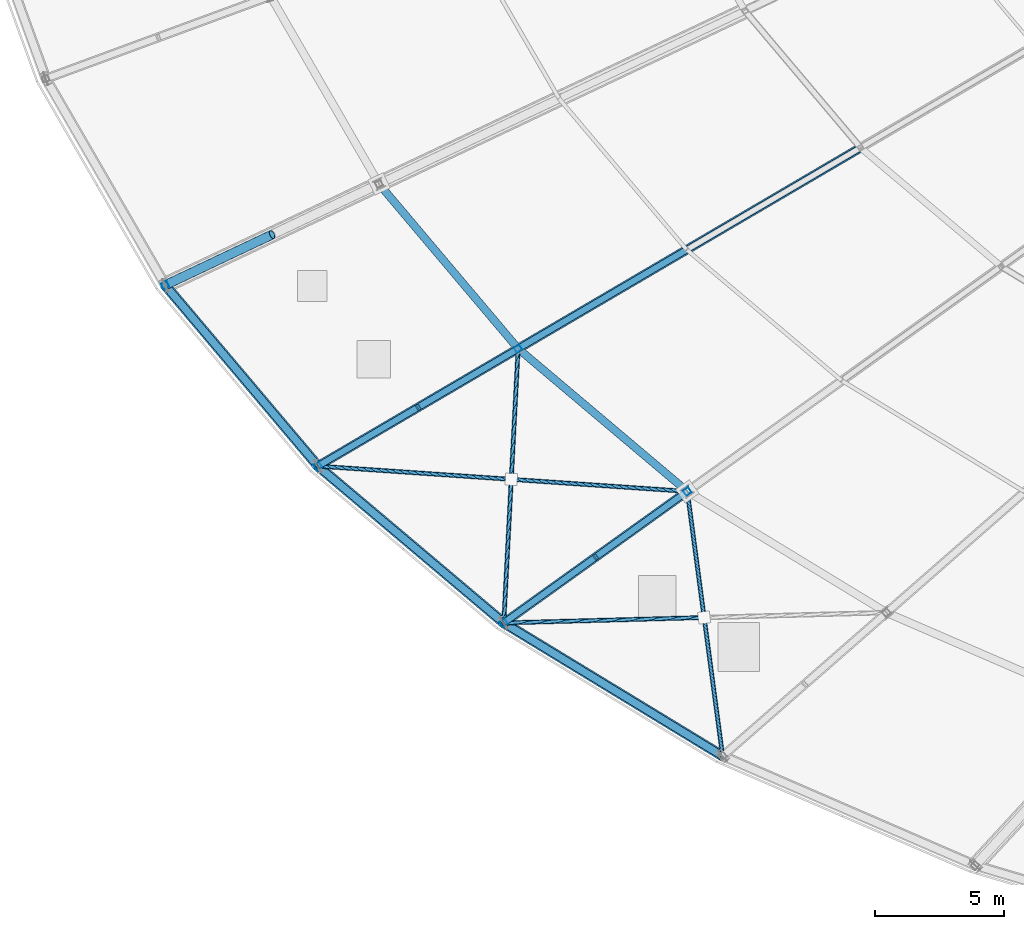
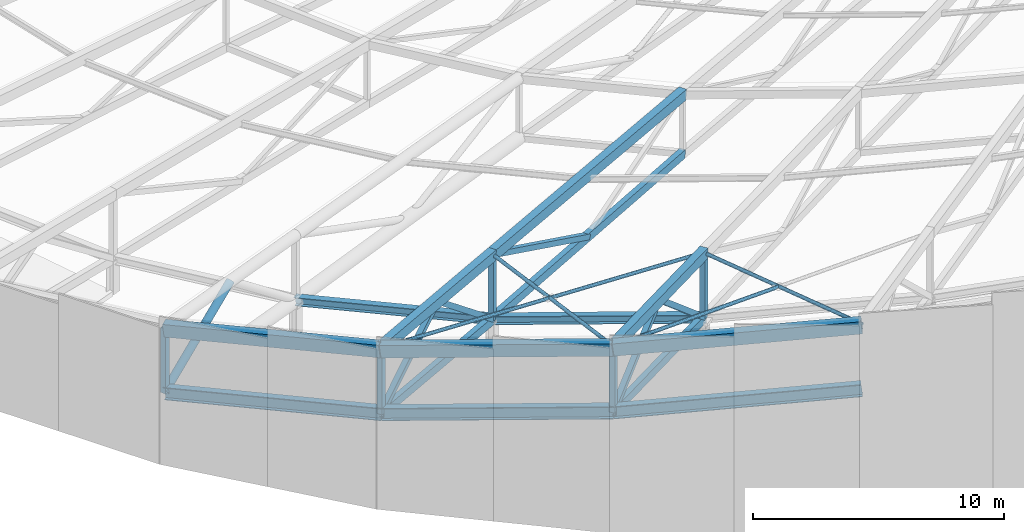
# One storey, part 16 of 143: 16 members, 14 beams.
"""IFC4 building model written with IfcOpenShell, lengths in metres."""

from ifc_helpers import new_model, si_unit, direction, frame, origin, origin_2d, place, context, subcontext, project, spatial, hollow_rectangle, hollow_circle, i_section, extrude, material, material_profile, profile_set, type_object, element, save


model = new_model("IFC4")

# Units and contexts
model_context = context("Model", 3, precision=1e-05, world=origin(), true_north=direction((0.0, 1.0)))
body_context = subcontext(model_context, "Body", "Model", "MODEL_VIEW")
ifc_project = project(units=[si_unit("LENGTHUNIT", "METRE"), si_unit("AREAUNIT", "SQUARE_METRE"), si_unit("VOLUMEUNIT", "CUBIC_METRE"), si_unit("PLANEANGLEUNIT", "RADIAN"), si_unit("MASSUNIT", "GRAM", prefix="KILO")], contexts=[model_context])

# Site, building, storey
site_placement = place(None, origin())
site = spatial("IfcSite", under=ifc_project, at=site_placement, CompositionType="ELEMENT")
building_placement = place(site_placement, origin())
building = spatial("IfcBuilding", under=site, at=building_placement, Name="Mphavela Belvedere Stadium", CompositionType="ELEMENT")
storey_placement = place(building_placement, frame((0.0, 0.0, 28.800048828125)))
storey = spatial("IfcBuildingStorey", under=building, at=storey_placement, Name="RF", CompositionType="ELEMENT", Elevation=28.800048828125)

# Beams
ifc_material_1 = material(Name="Steel S355", Category="steel")
ifc_material_profile_1 = material_profile(ifc_material_1, hollow_rectangle(XDim=0.39990234375, YDim=0.60009765625, WallThickness=0.02001953125, at=origin_2d()), Name="RHS 600x400x20")
ifc_profile_set_1 = profile_set([ifc_material_profile_1], Name="Steel S355")
beam_type_1 = type_object("IfcBeamType", Name="BM-RING-OUT", PredefinedType="BEAM", material=ifc_profile_set_1)
beam_1_placement = place(storey_placement, frame((22.757568359375, 43.33837890625, 6.406005859375), z_axis=(0.640062920781, -0.758001984379, 0.125508761127), x_axis=(0.764043650952, 0.645164552218, 0.0)))
element("IfcBeam", 1, at=beam_1_placement, inside=storey, type_object=beam_type_1, Name="Perimeter compression ring beam RB-OUT-29", PredefinedType="BEAM", context=body_context, shape_type="SweptSolid", body=[
    extrude(hollow_rectangle(XDim=0.39990234375, YDim=0.60009765625, WallThickness=0.02001953125, at=origin_2d()), origin(), (0.0, 0.0, 1.0), 9.22412109375),
])
beam_2_placement = place(storey_placement, frame((28.66162109375, 36.346435546875, 7.563720703125), z_axis=(0.75767620919, -0.639341612092, 0.131030779116), x_axis=(0.644901761212, 0.76426547638, 0.0)))
element("IfcBeam", 2, at=beam_2_placement, inside=storey, type_object=beam_type_1, Name="Perimeter compression ring beam RB-OUT-30", PredefinedType="BEAM", context=body_context, shape_type="SweptSolid", body=[
    extrude(hollow_rectangle(XDim=0.39990234375, YDim=0.60009765625, WallThickness=0.02001953125, at=origin_2d()), origin(), (0.0, 0.0, 1.0), 9.480224609375),
])
beam_3_placement = place(storey_placement, frame((35.844482421875, 30.285400390625, 8.805908203125), z_axis=(0.847679486855, -0.515692686756, 0.124501166227), x_axis=(0.51973651678, 0.854326607994, 0.0)))
element("IfcBeam", 3, at=beam_3_placement, inside=storey, type_object=beam_type_1, Name="Perimeter compression ring beam RB-OUT-31", PredefinedType="BEAM", context=body_context, shape_type="SweptSolid", body=[
    extrude(hollow_rectangle(XDim=0.39990234375, YDim=0.60009765625, WallThickness=0.02001953125, at=origin_2d()), origin(), (0.0, 0.0, 1.0), 9.979248046875),
])
ifc_material_2 = material(Name="Steel S355", Category="steel")
ifc_material_profile_2 = material_profile(ifc_material_2, i_section(OverallWidth=0.300048828125, OverallDepth=0.39990234375, WebThickness=0.013427734375, FlangeThickness=0.02392578125, at=origin_2d()), Name="HEB 400")
ifc_profile_set_2 = profile_set([ifc_material_profile_2], Name="Steel S355")
beam_type_2 = type_object("IfcBeamType", Name="BM-STEEL-HEB400", PredefinedType="BEAM", material=ifc_profile_set_2)
beam_4_placement = place(storey_placement, frame((31.0244140625, 47.251708984375, 2.516357421875), z_axis=(0.640076100613, -0.75799174144, 0.125503407655), x_axis=(0.764032804808, 0.645177396673, 0.0)))
element("IfcBeam", 4, at=beam_4_placement, inside=storey, type_object=beam_type_2, Name="Roof bottom-chord tie girder R3-29", PredefinedType="BEAM", context=body_context, shape_type="SweptSolid", body=[
    extrude(i_section(OverallWidth=0.300048828125, OverallDepth=0.39990234375, WebThickness=0.013427734375, FlangeThickness=0.02392578125, at=origin_2d()), origin(), (0.0, 0.0, 1.0), 8.397705078125),
])
beam_5_placement = place(storey_placement, frame((36.399658203125, 40.88623046875, 3.5703125), z_axis=(0.757674039496, -0.639344047441, 0.131031442314), x_axis=(0.644904274761, 0.764263355392, 0.0)))
element("IfcBeam", 5, at=beam_5_placement, inside=storey, type_object=beam_type_2, Name="Roof bottom-chord tie girder R3-30", PredefinedType="BEAM", context=body_context, shape_type="SweptSolid", body=[
    extrude(i_section(OverallWidth=0.300048828125, OverallDepth=0.39990234375, WebThickness=0.013427734375, FlangeThickness=0.02392578125, at=origin_2d()), origin(), (0.0, 0.0, 1.0), 8.63037109375),
])
ifc_material_3 = material(Name="Steel S355", Category="steel")
ifc_material_profile_3 = material_profile(ifc_material_3, i_section(OverallWidth=0.300048828125, OverallDepth=0.60009765625, WebThickness=0.015380859375, FlangeThickness=0.030029296875, at=origin_2d()), Name="HEB 600")
ifc_profile_set_3 = profile_set([ifc_material_profile_3], Name="Steel S355")
beam_type_3 = type_object("IfcBeamType", Name="BM-STEEL-HEB600", PredefinedType="BEAM", material=ifc_profile_set_3)
beam_6_placement = place(storey_placement, frame((22.757568359375, 43.33837890625, 3.31103515625), z_axis=(0.640062920781, -0.758001984379, 0.125508761127), x_axis=(0.764043650952, 0.645164552218, 0.0)))
element("IfcBeam", 6, at=beam_6_placement, inside=storey, type_object=beam_type_3, Name="Roof bottom-chord tie girder R4-29", PredefinedType="BEAM", context=body_context, shape_type="SweptSolid", body=[
    extrude(i_section(OverallWidth=0.300048828125, OverallDepth=0.60009765625, WebThickness=0.015380859375, FlangeThickness=0.030029296875, at=origin_2d()), origin(), (0.0, 0.0, 1.0), 9.22412109375),
])
beam_7_placement = place(storey_placement, frame((28.66162109375, 36.346435546875, 4.46875), z_axis=(0.75767620919, -0.639341612092, 0.131030779116), x_axis=(0.644901761212, 0.76426547638, 0.0)))
element("IfcBeam", 7, at=beam_7_placement, inside=storey, type_object=beam_type_3, Name="Roof bottom-chord tie girder R4-30", PredefinedType="BEAM", context=body_context, shape_type="SweptSolid", body=[
    extrude(i_section(OverallWidth=0.300048828125, OverallDepth=0.60009765625, WebThickness=0.015380859375, FlangeThickness=0.030029296875, at=origin_2d()), origin(), (0.0, 0.0, 1.0), 9.480224609375),
])
beam_8_placement = place(storey_placement, frame((35.844482421875, 30.285400390625, 5.7109375), z_axis=(0.847679486855, -0.515692686756, 0.124501166227), x_axis=(0.51973651678, 0.854326607994, 0.0)))
element("IfcBeam", 8, at=beam_8_placement, inside=storey, type_object=beam_type_3, Name="Roof bottom-chord tie girder R4-31", PredefinedType="BEAM", context=body_context, shape_type="SweptSolid", body=[
    extrude(i_section(OverallWidth=0.300048828125, OverallDepth=0.60009765625, WebThickness=0.015380859375, FlangeThickness=0.030029296875, at=origin_2d()), origin(), (0.0, 0.0, 1.0), 9.979248046875),
])
ifc_material_4 = material(Name="Steel S355", Category="steel")
ifc_material_profile_4 = material_profile(ifc_material_4, hollow_rectangle(XDim=0.25, YDim=0.39990234375, WallThickness=0.01611328125, at=origin_2d()), Name="RHS 400x250x16")
ifc_profile_set_4 = profile_set([ifc_material_profile_4], Name="Steel S355")
beam_type_4 = type_object("IfcBeamType", Name="BM-TRUSS-BC2", PredefinedType="BEAM", material=ifc_profile_set_4)
beam_9_placement = place(storey_placement, frame((28.66162109375, 36.346435546875, 4.46875), z_axis=(0.858225019293, 0.503508257888, -0.099645624578), x_axis=(-0.506026758411, 0.862517779395, 0.0)))
element("IfcBeam", 9, at=beam_9_placement, inside=storey, type_object=beam_type_4, Name="Radial roof truss RT-30 bottom chord 1", PredefinedType="BEAM", context=body_context, shape_type="SweptSolid", body=[
    extrude(hollow_rectangle(XDim=0.25, YDim=0.39990234375, WallThickness=0.01611328125, at=origin_2d()), origin(), (0.0, 0.0, 1.0), 9.016357421875),
])
beam_10_placement = place(storey_placement, frame((36.399658203125, 40.88623046875, 3.5703125), z_axis=(0.85949913121, 0.504262531198, -0.0835496444), x_axis=(-0.506031812676, 0.86251481411, 0.0)))
element("IfcBeam", 10, at=beam_10_placement, inside=storey, type_object=beam_type_4, Name="Radial roof truss RT-30 bottom chord 2", PredefinedType="BEAM", context=body_context, shape_type="SweptSolid", body=[
    extrude(hollow_rectangle(XDim=0.25, YDim=0.39990234375, WallThickness=0.01611328125, at=origin_2d()), origin(), (0.0, 0.0, 1.0), 15.3994140625),
])
beam_11_placement = place(storey_placement, frame((35.844482421875, 30.285400390625, 5.7109375), z_axis=(0.807495008804, 0.57856858983, -0.114935623801), x_axis=(-0.582428376319, 0.812882024932, 0.0)))
element("IfcBeam", 11, at=beam_11_placement, inside=storey, type_object=beam_type_4, Name="Radial roof truss RT-31 bottom chord 1", PredefinedType="BEAM", context=body_context, shape_type="SweptSolid", body=[
    extrude(hollow_rectangle(XDim=0.25, YDim=0.39990234375, WallThickness=0.01611328125, at=origin_2d()), origin(), (0.0, 0.0, 1.0), 8.785400390625),
])
ifc_material_5 = material(Name="Steel S355", Category="steel")
ifc_material_profile_5 = material_profile(ifc_material_5, hollow_rectangle(XDim=0.35009765625, YDim=0.5, WallThickness=0.02001953125, at=origin_2d()), Name="RHS 500x350x20")
ifc_profile_set_5 = profile_set([ifc_material_profile_5], Name="Steel S355")
beam_type_5 = type_object("IfcBeamType", Name="BM-TRUSS-TC2", PredefinedType="BEAM", material=ifc_profile_set_5)
beam_12_placement = place(storey_placement, frame((28.66162109375, 36.346435546875, 7.61865234375), z_axis=(0.858225019293, 0.503508257888, -0.099645624578), x_axis=(-0.506026758411, 0.862517779395, 0.0)))
element("IfcBeam", 12, at=beam_12_placement, inside=storey, type_object=beam_type_5, Name="Radial roof truss RT-30 top chord 1", PredefinedType="BEAM", context=body_context, shape_type="SweptSolid", body=[
    extrude(hollow_rectangle(XDim=0.35009765625, YDim=0.5, WallThickness=0.02001953125, at=origin_2d()), origin(), (0.0, 0.0, 1.0), 9.016357421875),
])
beam_13_placement = place(storey_placement, frame((36.399658203125, 40.88623046875, 6.72021484375), z_axis=(0.858222917676, 0.503513785047, -0.099635795991), x_axis=(-0.506031812676, 0.86251481411, 0.0)))
element("IfcBeam", 13, at=beam_13_placement, inside=storey, type_object=beam_type_5, Name="Radial roof truss RT-30 top chord 2", PredefinedType="BEAM", context=body_context, shape_type="SweptSolid", body=[
    extrude(hollow_rectangle(XDim=0.35009765625, YDim=0.5, WallThickness=0.02001953125, at=origin_2d()), origin(), (0.0, 0.0, 1.0), 15.42236328125),
])
beam_14_placement = place(storey_placement, frame((35.844482421875, 30.285400390625, 8.86083984375), z_axis=(0.807497587607, 0.578570437538, -0.114908201692), x_axis=(-0.582428376319, 0.812882024932, 0.0)))
element("IfcBeam", 14, at=beam_14_placement, inside=storey, type_object=beam_type_5, Name="Radial roof truss RT-31 top chord 1", PredefinedType="BEAM", context=body_context, shape_type="SweptSolid", body=[
    extrude(hollow_rectangle(XDim=0.35009765625, YDim=0.5, WallThickness=0.02001953125, at=origin_2d()), origin(), (0.0, 0.0, 1.0), 8.785400390625),
])

# Members
ifc_material_6 = material(Name="Steel S355", Category="steel")
ifc_material_profile_6 = material_profile(ifc_material_6, hollow_circle(Radius=0.177734375, WallThickness=0.01611328125, at=origin_2d()), Name="CHS 355.6x16")
ifc_profile_set_6 = profile_set([ifc_material_profile_6], Name="Steel S355")
member_type_1 = type_object("IfcMemberType", Name="MEM-DIAG-355", PredefinedType="BRACE", material=ifc_profile_set_6)
member_1_placement = place(storey_placement, frame((22.757568359375, 43.33837890625, 3.31103515625), z_axis=(0.774385979506, 0.366588129806, 0.515693220656), x_axis=(-0.427870623613, 0.903839991065, 0.0)))
element("IfcMember", 15, at=member_1_placement, inside=storey, type_object=member_type_1, Name="Radial roof truss RT-29 web diagonal D1", PredefinedType="BRACE", context=body_context, shape_type="SweptSolid", body=[
    extrude(hollow_circle(Radius=0.177734375, WallThickness=0.01611328125, at=origin_2d()), origin(), (0.0, 0.0, 1.0), 5.337890625),
])
ifc_material_7 = material(Name="Steel S355", Category="steel")
ifc_material_profile_7 = material_profile(ifc_material_7, hollow_rectangle(XDim=0.25, YDim=0.25, WallThickness=0.012451171875, at=origin_2d()), Name="SHS 250x250x12.5")
ifc_profile_set_7 = profile_set([ifc_material_profile_7], Name="Steel S355")
member_type_2 = type_object("IfcMemberType", Name="MEM-POST-SHS250", PredefinedType="POST", material=ifc_profile_set_7)
for number, where, z_axis, x_axis, name in (
    (16, (22.757568359375, 43.33837890625, 3.31103515625), (0.0, 0.0, 1.0), (-0.903858661687, -0.4278311813, 0.0), "Radial roof truss RT-29 post P1"),
    (17, (28.66162109375, 36.346435546875, 4.46875), (0.0, 0.0, 1.0), (-0.862513669207, -0.506033764121, 0.0), "Radial roof truss RT-30 post P1"),
    (18, (36.399658203125, 40.88623046875, 3.5703125), (0.0, 0.0, 1.0), (-0.862513669207, -0.506033764121, 0.0), "Radial roof truss RT-30 post P2"),
):
    element("IfcMember", number, at=place(storey_placement, frame(where, z_axis=z_axis, x_axis=x_axis)), inside=storey, type_object=member_type_2, Name=name, PredefinedType="POST", context=body_context, shape_type="SweptSolid", body=[
        extrude(hollow_rectangle(XDim=0.25, YDim=0.25, WallThickness=0.012451171875, at=origin_2d()), origin(), (0.0, 0.0, 1.0), 3.14990234375),
    ])
member_2_placement = place(storey_placement, frame((28.66162109375, 36.346435546875, 4.46875), z_axis=(0.738948009575, 0.433493162861, 0.515790186896), x_axis=(-0.505994636245, 0.862536624203, 0.0)))
element("IfcMember", 19, at=member_2_placement, inside=storey, type_object=member_type_2, Name="Radial roof truss RT-30 web diagonal D1", PredefinedType="POST", context=body_context, shape_type="SweptSolid", body=[
    extrude(hollow_rectangle(XDim=0.25, YDim=0.25, WallThickness=0.012451171875, at=origin_2d()), origin(), (0.0, 0.0, 1.0), 5.236083984375),
])
member_3_placement = place(storey_placement, frame((32.53076171875, 38.6162109375, 7.16943359375), z_axis=(0.672724188559, 0.394711270601, -0.625815611014), x_axis=(-0.506058880499, 0.862498933025, 0.0)))
element("IfcMember", 20, at=member_3_placement, inside=storey, type_object=member_type_2, Name="Radial roof truss RT-30 web diagonal D2", PredefinedType="POST", context=body_context, shape_type="SweptSolid", body=[
    extrude(hollow_rectangle(XDim=0.25, YDim=0.25, WallThickness=0.012451171875, at=origin_2d()), origin(), (0.0, 0.0, 1.0), 5.7509765625),
])
member_4_placement = place(storey_placement, frame((36.399658203125, 40.88623046875, 6.72021484375), z_axis=(0.773195010887, 0.453614205118, -0.443174489399), x_axis=(-0.506019976989, 0.862521757922, 0.0)))
element("IfcMember", 21, at=member_4_placement, inside=storey, type_object=member_type_2, Name="Radial roof truss RT-30 web diagonal D3", PredefinedType="POST", context=body_context, shape_type="SweptSolid", body=[
    extrude(hollow_rectangle(XDim=0.25, YDim=0.25, WallThickness=0.012451171875, at=origin_2d()), origin(), (0.0, 0.0, 1.0), 8.55908203125),
])
member_5_placement = place(storey_placement, frame((35.844482421875, 30.285400390625, 5.7109375), z_axis=(0.0, 0.0, 1.0), x_axis=(-0.812897512265, -0.582406760395, 0.0)))
element("IfcMember", 22, at=member_5_placement, inside=storey, type_object=member_type_2, Name="Radial roof truss RT-31 post P1", PredefinedType="POST", context=body_context, shape_type="SweptSolid", body=[
    extrude(hollow_rectangle(XDim=0.25, YDim=0.25, WallThickness=0.012451171875, at=origin_2d()), origin(), (0.0, 0.0, 1.0), 3.14990234375),
])
member_6_placement = place(storey_placement, frame((42.938720703125, 35.368408203125, 4.701171875), z_axis=(0.0, 0.0, 1.0), x_axis=(-0.812897512265, -0.582406760395, 0.0)))
element("IfcMember", 23, at=member_6_placement, inside=storey, type_object=member_type_2, Name="Radial roof truss RT-31 post P2", PredefinedType="POST", context=body_context, shape_type="SweptSolid", body=[
    extrude(hollow_rectangle(XDim=0.25, YDim=0.25, WallThickness=0.012451171875, at=origin_2d()), origin(), (0.0, 0.0, 1.0), 3.150146484375),
])
member_7_placement = place(storey_placement, frame((35.844482421875, 30.285400390625, 5.7109375), z_axis=(0.695147176222, 0.498071588167, 0.518358077444), x_axis=(-0.582428376319, 0.812882024932, 0.0)))
element("IfcMember", 24, at=member_7_placement, inside=storey, type_object=member_type_2, Name="Radial roof truss RT-31 web diagonal D1", PredefinedType="POST", context=body_context, shape_type="SweptSolid", body=[
    extrude(hollow_rectangle(XDim=0.25, YDim=0.25, WallThickness=0.012451171875, at=origin_2d()), origin(), (0.0, 0.0, 1.0), 5.102783203125),
])
member_8_placement = place(storey_placement, frame((39.3916015625, 32.826904296875, 8.35595703125), z_axis=(0.623177325209, 0.446505331091, -0.642092680734), x_axis=(-0.582428376319, 0.812882024932, 0.0)))
element("IfcMember", 25, at=member_8_placement, inside=storey, type_object=member_type_2, Name="Radial roof truss RT-31 web diagonal D2", PredefinedType="POST", context=body_context, shape_type="SweptSolid", body=[
    extrude(hollow_rectangle(XDim=0.25, YDim=0.25, WallThickness=0.012451171875, at=origin_2d()), origin(), (0.0, 0.0, 1.0), 5.69189453125),
])
ifc_material_8 = material(Name="Steel S355", Category="steel")
ifc_material_profile_8 = material_profile(ifc_material_8, hollow_circle(Radius=0.084228515625, WallThickness=0.010009765625, at=origin_2d()), Name="CHS 168.3x10")
ifc_profile_set_8 = profile_set([ifc_material_profile_8], Name="Steel S355")
member_type_3 = type_object("IfcMemberType", Name="MEM-ROOF-XBRACE", PredefinedType="BRACE", material=ifc_profile_set_8)
member_9_placement = place(storey_placement, frame((36.399658203125, 40.88623046875, 6.72021484375), z_axis=(-0.05126731576, -0.978926173095, 0.197674505094), x_axis=(0.998631455124, -0.052299300545, 0.0)))
element("IfcMember", 26, at=member_9_placement, inside=storey, type_object=member_type_3, Name="Roof diaphragm continuous X-brace A 30", PredefinedType="BRACE", context=body_context, shape_type="SweptSolid", body=[
    extrude(hollow_circle(Radius=0.084228515625, WallThickness=0.010009765625, at=origin_2d()), origin(), (0.0, 0.0, 1.0), 10.8291015625),
])
member_10_placement = place(storey_placement, frame((28.66162109375, 36.346435546875, 7.61865234375), z_axis=(0.997530391151, -0.068335605836, 0.016228484362), x_axis=(0.068344606173, 0.997661773753, 0.0)))
element("IfcMember", 27, at=member_10_placement, inside=storey, type_object=member_type_3, Name="Roof diaphragm split X-brace B1 30", PredefinedType="BRACE", context=body_context, shape_type="SweptSolid", body=[
    extrude(hollow_circle(Radius=0.084228515625, WallThickness=0.010009765625, at=origin_2d()), origin(), (0.0, 0.0, 1.0), 7.491943359375),
])
member_11_placement = place(storey_placement, frame((36.135009765625, 35.83447265625, 7.740234375), z_axis=(0.997529670821, -0.068332285833, 0.016286637011), x_axis=(0.068341350361, 0.997661996786, 0.0)))
element("IfcMember", 28, at=member_11_placement, inside=storey, type_object=member_type_3, Name="Roof diaphragm split X-brace B2 30", PredefinedType="BRACE", context=body_context, shape_type="SweptSolid", body=[
    extrude(hollow_circle(Radius=0.084228515625, WallThickness=0.010009765625, at=origin_2d()), origin(), (0.0, 0.0, 1.0), 6.820556640625),
])
member_12_placement = place(storey_placement, frame((42.938720703125, 35.368408203125, 7.851318359375), z_axis=(0.129226601163, -0.968425212332, 0.213197311596), x_axis=(0.991214052153, 0.132267542557, 0.0)))
element("IfcMember", 29, at=member_12_placement, inside=storey, type_object=member_type_3, Name="Roof diaphragm continuous X-brace A 31", PredefinedType="BRACE", context=body_context, shape_type="SweptSolid", body=[
    extrude(hollow_circle(Radius=0.084228515625, WallThickness=0.010009765625, at=origin_2d()), origin(), (0.0, 0.0, 1.0), 10.562744140625),
])
member_13_placement = place(storey_placement, frame((35.844482421875, 30.285400390625, 8.86083984375), z_axis=(0.999604854409, 0.026879230213, 0.00822447724), x_axis=(-0.026880139342, 0.999638663773, 0.0)))
element("IfcMember", 30, at=member_13_placement, inside=storey, type_object=member_type_3, Name="Roof diaphragm split X-brace B1 31", PredefinedType="BRACE", context=body_context, shape_type="SweptSolid", body=[
    extrude(hollow_circle(Radius=0.084228515625, WallThickness=0.010009765625, at=origin_2d()), origin(), (0.0, 0.0, 1.0), 7.747802734375),
])

save(model, "model.ifc")
